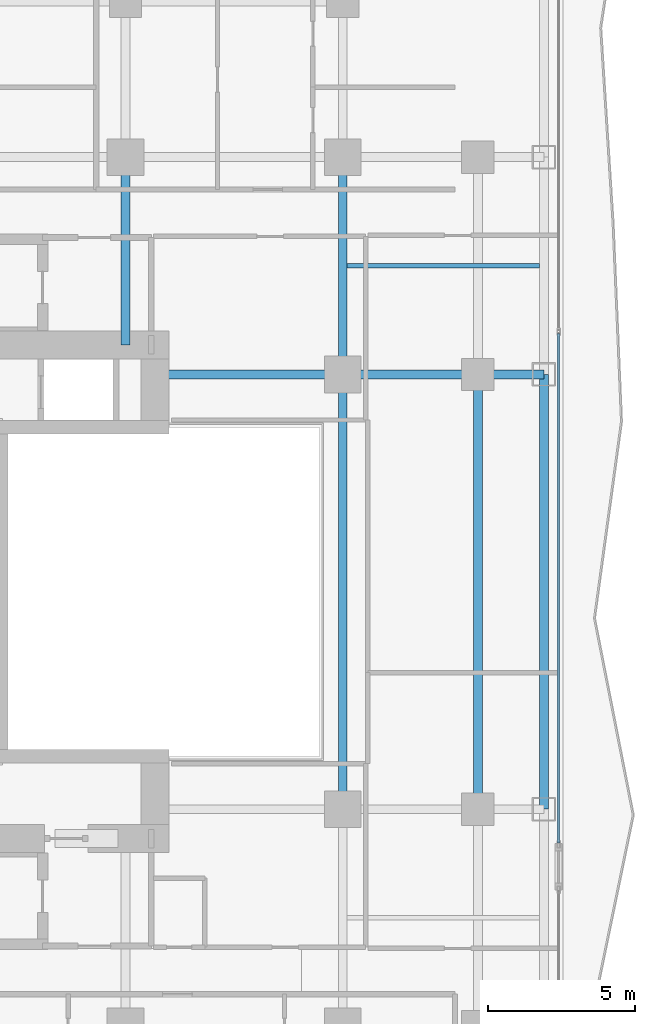
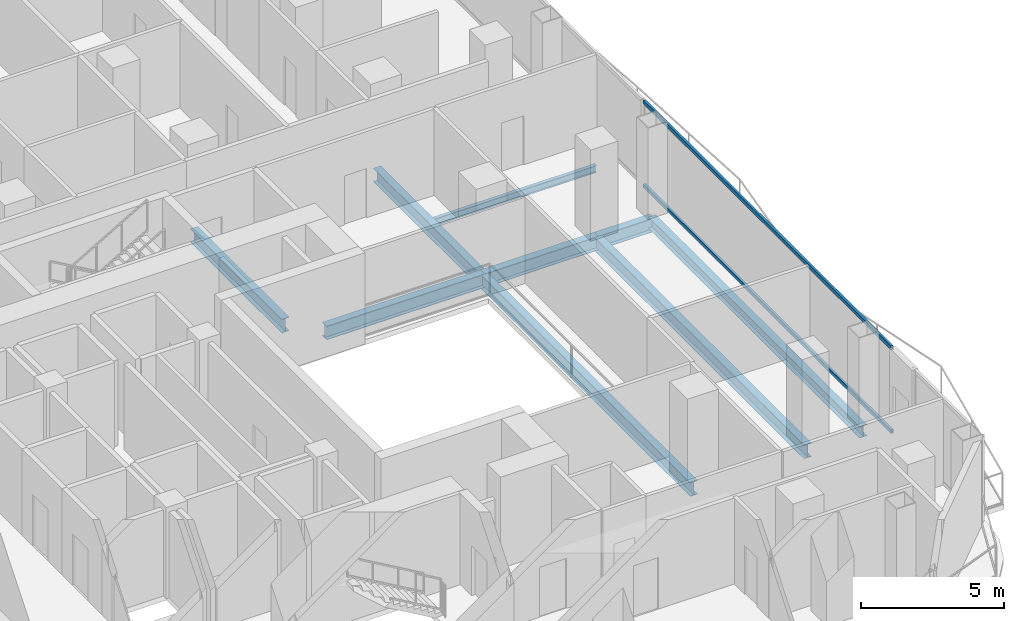
# One storey, part 10 of 27: 9 beams, 2 members, 1 element without a shape of its own.
"""IFC4 building model written with IfcOpenShell, lengths in metres."""

from ifc_helpers import new_model, si_unit, direction, frame, origin, origin_2d, place, context, subcontext, project, spatial, hollow_rectangle, i_section, extrude, material, layer, layer_set, material_profile, profile_set, type_object, element, aggregate, save


model = new_model("IFC4")

# Units and contexts
model_context = context("Model", 3, precision=1e-05, world=origin(), true_north=direction((0.0, 1.0)))
body_context = subcontext(model_context, "Body", "Model", "MODEL_VIEW")
ifc_project = project(units=[si_unit("LENGTHUNIT", "METRE"), si_unit("AREAUNIT", "SQUARE_METRE"), si_unit("VOLUMEUNIT", "CUBIC_METRE"), si_unit("PLANEANGLEUNIT", "RADIAN"), si_unit("MASSUNIT", "GRAM", prefix="KILO")], contexts=[model_context])

# Site, building, storey
site_placement = place(None, origin())
site = spatial("IfcSite", under=ifc_project, at=site_placement, CompositionType="ELEMENT")
building_placement = place(site_placement, origin())
building = spatial("IfcBuilding", under=site, at=building_placement, Name="Khorvyn Point Tower", CompositionType="ELEMENT")
storey_placement = place(building_placement, frame((0.0, 0.0, 96.89990234375)))
storey = spatial("IfcBuildingStorey", under=building, at=storey_placement, Name="L24", CompositionType="ELEMENT", Elevation=96.89990234375)

# Curtain wall, members
ifc_material_1 = material(Name="Anodised aluminium 6063-T6 and laminated Low-E glass", Category="aluminium")
ifc_layer = layer(ifc_material_1, 0.18994140625)
ifc_layer_set = layer_set([ifc_layer], Name="Stick-Built Finned Residential Curtain Wall CW-SYS-02")
curtain_wall_type = type_object("IfcCurtainWallType", Name="Stick-Built Finned Residential Curtain Wall CW-SYS-02", PredefinedType="NOTDEFINED", material=ifc_layer_set)
curtain_wall_placement = place(storey_placement, origin())
curtain_wall = element("IfcCurtainWall", 1, at=curtain_wall_placement, inside=storey, type_object=curtain_wall_type, Name="Curtain Wall", PredefinedType="NOTDEFINED")
ifc_material_2 = material(Name="Anodised aluminium 6063-T6", Category="aluminium")
ifc_material_profile_1 = material_profile(ifc_material_2, hollow_rectangle(XDim=0.10009765625, YDim=0.159912109375, WallThickness=0.00439453125, at=origin_2d()))
ifc_profile_set_1 = profile_set([ifc_material_profile_1], Name="Anodised aluminium 6063-T6 ALU-TRN-100x160")
member_type = type_object("IfcMemberType", Name="Anodised Aluminium 6063-T6 Transom ALU-TRN-100x160", PredefinedType="USERDEFINED", material=ifc_profile_set_1)
member_1_placement = place(storey_placement, frame((22.14990234375, 8.801513671875, 0.050048828125), z_axis=(0.0, -1.0, 0.0), x_axis=(1.0, 0.0, 0.0)))
member_1 = element("IfcMember", 2, at=member_1_placement, type_object=member_type, Name="Transom", ObjectType="TRANSOM", PredefinedType="USERDEFINED", context=body_context, shape_type="SweptSolid", body=[
    extrude(hollow_rectangle(XDim=0.10009765625, YDim=0.159912109375, WallThickness=0.00439453125, at=origin_2d()), origin(), (0.0, 0.0, 1.0), 17.3486328125),
])
member_2_placement = place(storey_placement, frame((22.14990234375, 8.801513671875, 3.630126953125), z_axis=(0.0, -1.0, 0.0), x_axis=(1.0, 0.0, 0.0)))
member_2 = element("IfcMember", 3, at=member_2_placement, type_object=member_type, Name="Transom", ObjectType="TRANSOM", PredefinedType="USERDEFINED", context=body_context, shape_type="SweptSolid", body=[
    extrude(hollow_rectangle(XDim=0.10009765625, YDim=0.159912109375, WallThickness=0.00439453125, at=origin_2d()), origin(), (0.0, 0.0, 1.0), 17.3486328125),
])
aggregate(curtain_wall, [member_1, member_2])

# Beams
ifc_material_3 = material(Name="Steel S355", Category="steel")
ifc_material_profile_2 = material_profile(ifc_material_3, i_section(OverallWidth=0.300048828125, OverallDepth=0.587890625, WebThickness=0.011962890625, FlangeThickness=0.02001953125, at=origin_2d()))
ifc_profile_set_2 = profile_set([ifc_material_profile_2], Name="Steel S355 H588x300x12x20")
beam_type_1 = type_object("IfcBeamType", Name="Steel S355 Beam H588x300x12x20", PredefinedType="BEAM", material=ifc_profile_set_2)
beam_1_placement = place(storey_placement, frame((8.39990234375, 7.39990234375, -0.513916015625), z_axis=(1.0, 0.0, 0.0), x_axis=(0.0, 1.0, 0.0)))
element("IfcBeam", 4, at=beam_1_placement, inside=storey, type_object=beam_type_1, Name="Beam", PredefinedType="BEAM", context=body_context, shape_type="SweptSolid", body=[
    extrude(i_section(OverallWidth=0.300048828125, OverallDepth=0.587890625, WebThickness=0.011962890625, FlangeThickness=0.02001953125, at=origin_2d()), origin(), (0.0, 0.0, 1.0), 6.400146484375),
])
beam_2_placement = place(storey_placement, frame((14.800048828125, 7.39990234375, -0.513916015625), z_axis=(1.0, 0.0, 0.0), x_axis=(0.0, 1.0, 0.0)))
element("IfcBeam", 5, at=beam_2_placement, inside=storey, type_object=beam_type_1, Name="Beam", PredefinedType="BEAM", context=body_context, shape_type="SweptSolid", body=[
    extrude(i_section(OverallWidth=0.300048828125, OverallDepth=0.587890625, WebThickness=0.011962890625, FlangeThickness=0.02001953125, at=origin_2d()), origin(), (0.0, 0.0, 1.0), 4.599853515625),
])
beam_3_placement = place(storey_placement, frame((19.39990234375, 7.39990234375, -0.513916015625), z_axis=(1.0, 0.0, 0.0), x_axis=(0.0, 1.0, 0.0)))
element("IfcBeam", 6, at=beam_3_placement, inside=storey, type_object=beam_type_1, Name="Beam", PredefinedType="BEAM", context=body_context, shape_type="SweptSolid", body=[
    extrude(i_section(OverallWidth=0.300048828125, OverallDepth=0.587890625, WebThickness=0.011962890625, FlangeThickness=0.02001953125, at=origin_2d()), origin(), (0.0, 0.0, 1.0), 2.25),
])
beam_4_placement = place(storey_placement, frame((14.800048828125, -7.39990234375, -0.513916015625), z_axis=(0.0, 1.0, 0.0), x_axis=(-1.0, 0.0, 0.0)))
element("IfcBeam", 7, at=beam_4_placement, inside=storey, type_object=beam_type_1, Name="Beam", PredefinedType="BEAM", context=body_context, shape_type="SweptSolid", body=[
    extrude(i_section(OverallWidth=0.300048828125, OverallDepth=0.587890625, WebThickness=0.011962890625, FlangeThickness=0.02001953125, at=origin_2d()), origin(), (0.0, 0.0, 1.0), 14.7998046875),
])
beam_5_placement = place(storey_placement, frame((14.800048828125, 7.39990234375, -0.513916015625), z_axis=(0.0, 1.0, 0.0), x_axis=(-1.0, 0.0, 0.0)))
element("IfcBeam", 8, at=beam_5_placement, inside=storey, type_object=beam_type_1, Name="Beam", PredefinedType="BEAM", context=body_context, shape_type="SweptSolid", body=[
    extrude(i_section(OverallWidth=0.300048828125, OverallDepth=0.587890625, WebThickness=0.011962890625, FlangeThickness=0.02001953125, at=origin_2d()), origin(), (0.0, 0.0, 1.0), 7.400146484375),
])
beam_6_placement = place(storey_placement, frame((7.39990234375, 8.39990234375, -0.513916015625), z_axis=(0.0, 1.0, 0.0), x_axis=(-1.0, 0.0, 0.0)))
element("IfcBeam", 9, at=beam_6_placement, inside=storey, type_object=beam_type_1, Name="Beam", PredefinedType="BEAM", context=body_context, shape_type="SweptSolid", body=[
    extrude(i_section(OverallWidth=0.300048828125, OverallDepth=0.587890625, WebThickness=0.011962890625, FlangeThickness=0.02001953125, at=origin_2d()), origin(), (0.0, 0.0, 1.0), 6.400146484375),
])
beam_7_placement = place(storey_placement, frame((19.39990234375, -7.39990234375, -0.513916015625), z_axis=(0.0, 1.0, 0.0), x_axis=(-1.0, 0.0, 0.0)))
element("IfcBeam", 10, at=beam_7_placement, inside=storey, type_object=beam_type_1, Name="Beam", PredefinedType="BEAM", context=body_context, shape_type="SweptSolid", body=[
    extrude(i_section(OverallWidth=0.300048828125, OverallDepth=0.587890625, WebThickness=0.011962890625, FlangeThickness=0.02001953125, at=origin_2d()), origin(), (0.0, 0.0, 1.0), 14.7998046875),
])
ifc_material_profile_3 = material_profile(ifc_material_3, i_section(OverallWidth=0.14990234375, OverallDepth=0.300048828125, WebThickness=0.006591796875, FlangeThickness=0.009033203125, at=origin_2d()))
ifc_profile_set_3 = profile_set([ifc_material_profile_3], Name="Steel S355 H300x150x6.5x9")
beam_type_2 = type_object("IfcBeamType", Name="Steel S355 Joist H300x150x6.5x9", PredefinedType="JOIST", material=ifc_profile_set_3)
beam_8_placement = place(storey_placement, frame((14.949951171875, 11.10009765625, -0.369873046875), z_axis=(1.0, 0.0, 0.0), x_axis=(0.0, 1.0, 0.0)))
element("IfcBeam", 11, at=beam_8_placement, inside=storey, type_object=beam_type_2, Name="Beam", PredefinedType="JOIST", context=body_context, shape_type="SweptSolid", body=[
    extrude(i_section(OverallWidth=0.14990234375, OverallDepth=0.300048828125, WebThickness=0.006591796875, FlangeThickness=0.009033203125, at=origin_2d()), origin(), (0.0, 0.0, 1.0), 6.550048828125),
])
ifc_material_profile_4 = material_profile(ifc_material_3, i_section(OverallWidth=0.300048828125, OverallDepth=0.488037109375, WebThickness=0.010986328125, FlangeThickness=0.01806640625, at=origin_2d()))
ifc_profile_set_4 = profile_set([ifc_material_profile_4], Name="Steel S355 H488x300x11x18")
beam_type_3 = type_object("IfcBeamType", Name="Steel S355 Spandrel H488x300x11x18", PredefinedType="SPANDREL", material=ifc_profile_set_4)
beam_9_placement = place(storey_placement, frame((21.64990234375, -7.39990234375, -0.4638671875), z_axis=(0.0, 1.0, 0.0), x_axis=(-1.0, 0.0, 0.0)))
element("IfcBeam", 12, at=beam_9_placement, inside=storey, type_object=beam_type_3, Name="Beam", PredefinedType="SPANDREL", context=body_context, shape_type="SweptSolid", body=[
    extrude(i_section(OverallWidth=0.300048828125, OverallDepth=0.488037109375, WebThickness=0.010986328125, FlangeThickness=0.01806640625, at=origin_2d()), origin(), (0.0, 0.0, 1.0), 14.7998046875),
])

save(model, "model.ifc")
